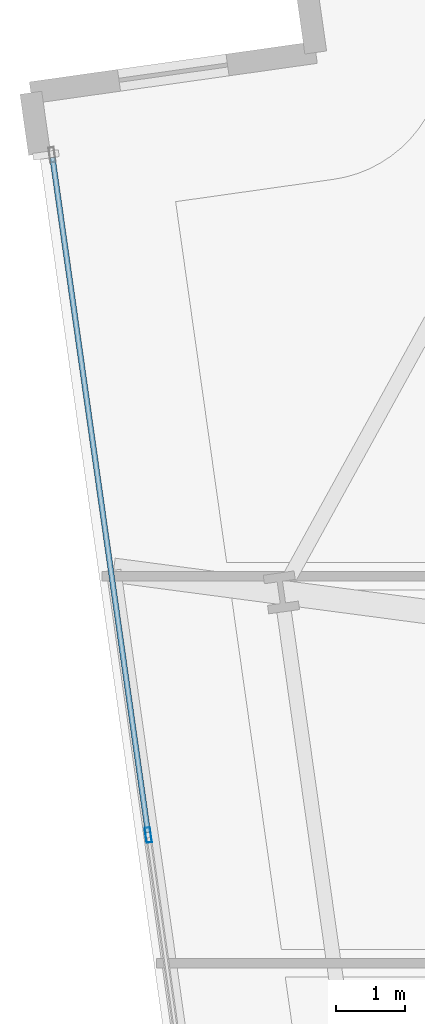
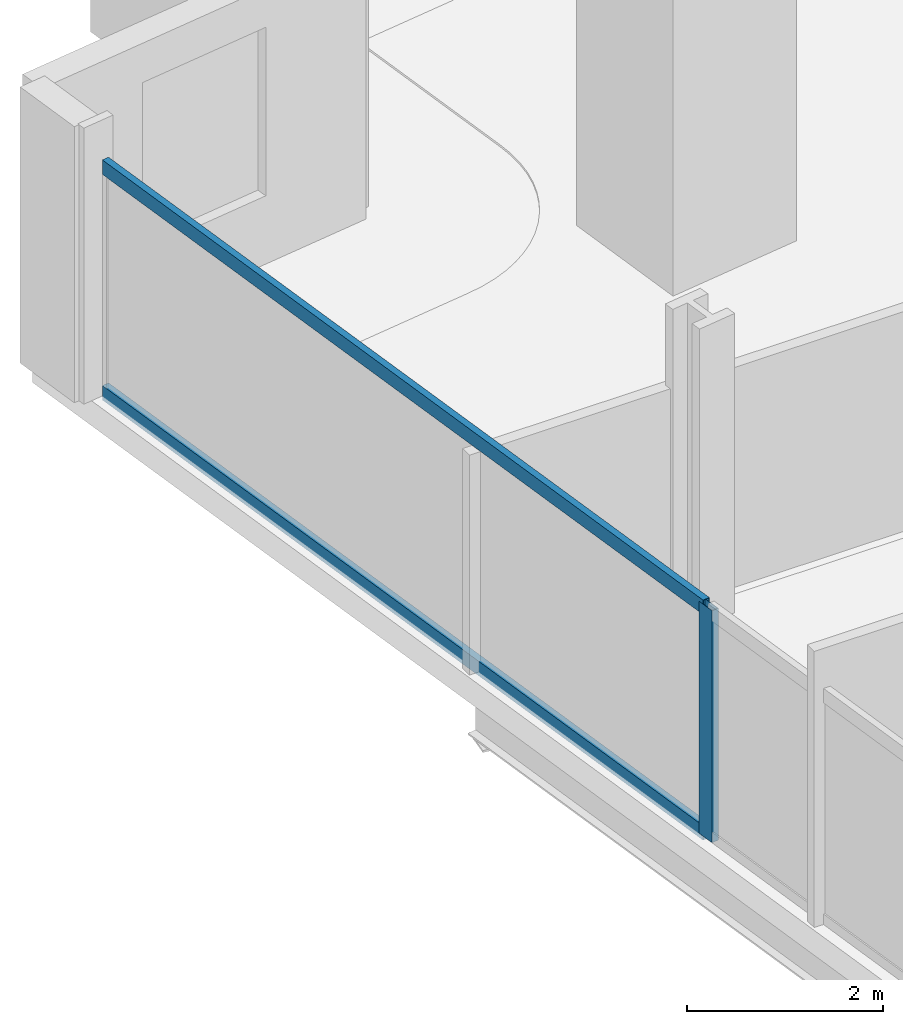
# One storey, part 14 of 33: 3 members, 1 element without a shape of its own.
"""IFC4 building model written with IfcOpenShell, lengths in metres."""

from ifc_helpers import new_model, si_unit, direction, frame, origin, origin_2d, place, context, subcontext, project, spatial, hollow_rectangle, extrude, material, material_profile, profile_set, type_object, element, aggregate, save


model = new_model("IFC4")

# Units and contexts
model_context = context("Model", 3, precision=1e-05, world=origin(), true_north=direction((0.0, 1.0)))
body_context = subcontext(model_context, "Body", "Model", "MODEL_VIEW")
ifc_project = project(units=[si_unit("LENGTHUNIT", "METRE"), si_unit("AREAUNIT", "SQUARE_METRE"), si_unit("VOLUMEUNIT", "CUBIC_METRE"), si_unit("PLANEANGLEUNIT", "RADIAN"), si_unit("MASSUNIT", "GRAM", prefix="KILO")], contexts=[model_context])

# Site, building, storey
site_placement = place(None, origin())
site = spatial("IfcSite", under=ifc_project, at=site_placement, CompositionType="ELEMENT")
building_placement = place(site_placement, origin())
building = spatial("IfcBuilding", under=site, at=building_placement, Name="Haldenkirk Collegiate Tower", CompositionType="ELEMENT")
storey_placement = place(building_placement, frame((0.0, 0.0, 55.199951171875)))
storey = spatial("IfcBuildingStorey", under=building, at=storey_placement, Name="L12", CompositionType="ELEMENT", Elevation=55.199951171875)

# Curtain wall, members
ifc_material = material(Name="Anodised architectural bronze aluminium", Category="aluminium")
curtain_wall_type = type_object("IfcCurtainWallType", Name="CW-SYS1-CONVEX-LOW", PredefinedType="USERDEFINED", material=ifc_material)
curtain_wall_placement = place(storey_placement, origin())
curtain_wall = element("IfcCurtainWall", 1, at=curtain_wall_placement, inside=storey, type_object=curtain_wall_type, Name="L12 Lower tower convex bronze-framed unitised curtain wall", ObjectType="UNITISED CURTAIN WALL", PredefinedType="USERDEFINED")
ifc_material_profile_1 = material_profile(ifc_material, hollow_rectangle(XDim=0.080078125, YDim=0.219970703125, WallThickness=0.0048828125, at=origin_2d()), Name="CW-MUL-1A")
ifc_profile_set_1 = profile_set([ifc_material_profile_1], Name="Anodised architectural bronze aluminium")
member_type_1 = type_object("IfcMemberType", Name="CW-MUL-1A", PredefinedType="MULLION", material=ifc_profile_set_1)
member_1_placement = place(storey_placement, frame((8.322998046875, 32.671142578125, 0.0), z_axis=(0.0, 0.0, 1.0), x_axis=(-0.990145921918, -0.140039470541, 0.0)))
member_1 = element("IfcMember", 2, at=member_1_placement, type_object=member_type_1, Name="CW-1A mullion 4", PredefinedType="MULLION", context=body_context, shape_type="SweptSolid", body=[
    extrude(hollow_rectangle(XDim=0.080078125, YDim=0.219970703125, WallThickness=0.0048828125, at=origin_2d()), origin(), (0.0, 0.0, 1.0), 2.89111328125),
])
ifc_material_profile_2 = material_profile(ifc_material, hollow_rectangle(XDim=0.080078125, YDim=0.179931640625, WallThickness=0.0048828125, at=origin_2d()), Name="CW-TRN-1A")
ifc_profile_set_2 = profile_set([ifc_material_profile_2], Name="Anodised architectural bronze aluminium")
member_type_2 = type_object("IfcMemberType", Name="CW-TRN-1A", PredefinedType="USERDEFINED", material=ifc_profile_set_2)
member_2_placement = place(storey_placement, frame((8.3173828125, 32.710693359375, 0.0400390625), z_axis=(-0.140022948845, 0.990148258493, 0.0), x_axis=(-0.990148258493, -0.140022948845, 0.0)))
member_2 = element("IfcMember", 3, at=member_2_placement, type_object=member_type_2, Name="CW-1A transom 4.1", ObjectType="TRANSOM", PredefinedType="USERDEFINED", context=body_context, shape_type="SweptSolid", body=[
    extrude(hollow_rectangle(XDim=0.080078125, YDim=0.179931640625, WallThickness=0.0048828125, at=origin_2d()), origin(), (0.0, 0.0, 1.0), 9.94873046875),
])
member_3_placement = place(storey_placement, frame((8.3173828125, 32.710693359375, 2.85107421875), z_axis=(-0.140022948845, 0.990148258493, 0.0), x_axis=(-0.990148258493, -0.140022948845, 0.0)))
member_3 = element("IfcMember", 4, at=member_3_placement, type_object=member_type_2, Name="CW-1A transom 4.2", ObjectType="TRANSOM", PredefinedType="USERDEFINED", context=body_context, shape_type="SweptSolid", body=[
    extrude(hollow_rectangle(XDim=0.080078125, YDim=0.179931640625, WallThickness=0.0048828125, at=origin_2d()), origin(), (0.0, 0.0, 1.0), 9.94873046875),
])
aggregate(curtain_wall, [member_1, member_2, member_3])

save(model, "model.ifc")
